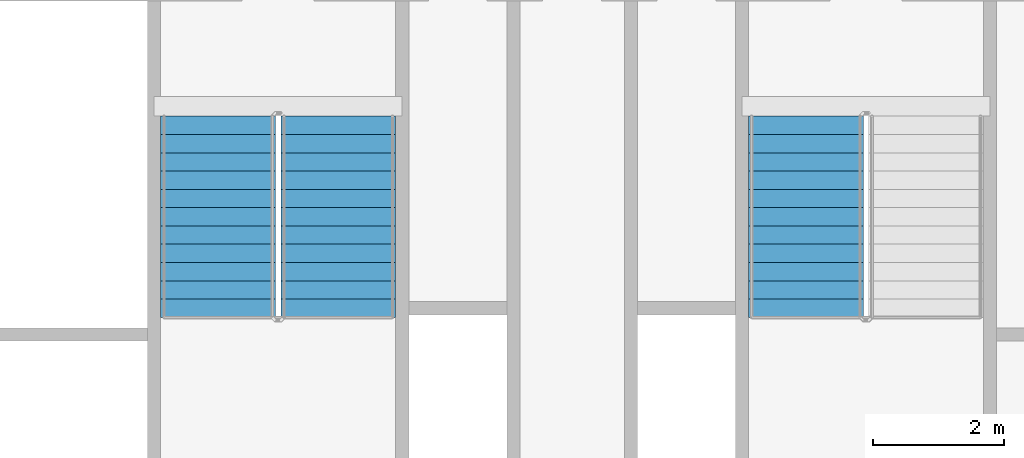
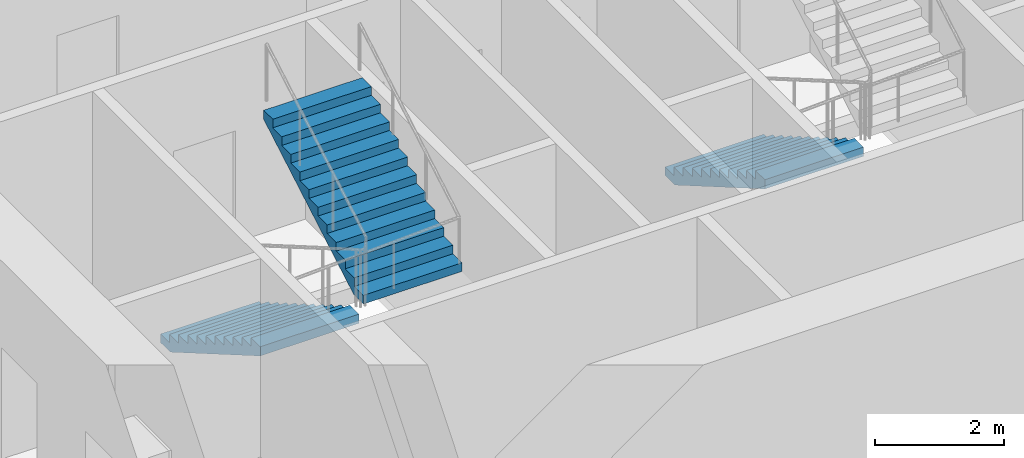
# One storey, part 15 of 22: 3 stair flights, 2 elements without a shape of their own.
"""IFC4 building model written with IfcOpenShell, lengths in metres."""

from ifc_helpers import new_model, si_unit, direction, frame, origin, place, context, subcontext, project, spatial, faceted_brep, material, type_object, element, aggregate, save


model = new_model("IFC4")

# Units and contexts
model_context = context("Model", 3, precision=1e-05, world=origin(), true_north=direction((0.0, 1.0)))
body_context = subcontext(model_context, "Body", "Model", "MODEL_VIEW")
ifc_project = project(units=[si_unit("LENGTHUNIT", "METRE"), si_unit("AREAUNIT", "SQUARE_METRE"), si_unit("VOLUMEUNIT", "CUBIC_METRE"), si_unit("PLANEANGLEUNIT", "RADIAN"), si_unit("MASSUNIT", "GRAM", prefix="KILO")], contexts=[model_context])

# Site, building, storey
site_placement = place(None, origin())
site = spatial("IfcSite", under=ifc_project, at=site_placement, CompositionType="ELEMENT")
building_placement = place(site_placement, origin())
building = spatial("IfcBuilding", under=site, at=building_placement, Name="Tarsis Ring Headquarters", CompositionType="ELEMENT")
storey_placement = place(building_placement, frame((0.0, 0.0, 40.0)))
storey = spatial("IfcBuildingStorey", under=building, at=storey_placement, Name="L07", CompositionType="ELEMENT", Elevation=40.0)

# Stair, stair flights
ifc_material_1 = material(Name="Core stair 1760")
stair_type = type_object("IfcStairType", Name="Core stair 1760", PredefinedType="HALF_TURN_STAIR", material=ifc_material_1)
stair_1_placement = place(storey_placement, origin())
stair_1 = element("IfcStair", 1, at=stair_1_placement, inside=storey, type_object=stair_type, Name="L07 Exit stair C", PredefinedType="HALF_TURN_STAIR")
ifc_material_2 = material(Name="Concrete C40/50", Category="concrete")
stair_flight_type = type_object("IfcStairFlightType", Name="Core stair flight 1760", PredefinedType="STRAIGHT", material=ifc_material_2)
stair_flight_1_placement = place(storey_placement, frame((-5.419921875, -3.659912109375, 0.0), z_axis=(0.0, 0.0, 1.0), x_axis=(0.0, -1.0, 0.0)))
stair_flight_1 = element("IfcStairFlight", 2, at=stair_flight_1_placement, type_object=stair_flight_type, Name="Stair ST3 flight 1", NumberOfRisers=12, NumberOfTreads=11, PredefinedType="STRAIGHT", RiserHeight=0.1625, TreadLength=0.28, context=body_context, shape_type="Brep", body=[
    faceted_brep([(0.0, 0.8798828125, 0.0), (0.0, 0.8798828125, 0.16259765625), (0.280029296875, 0.8798828125, 0.16259765625), (0.280029296875, 0.8798828125, 0.324951171875), (0.56005859375, 0.8798828125, 0.324951171875), (0.56005859375, 0.8798828125, 0.487548828125), (0.840087890625, 0.8798828125, 0.487548828125), (0.840087890625, 0.8798828125, 0.64990234375), (1.1201171875, 0.8798828125, 0.64990234375), (1.1201171875, 0.8798828125, 0.8125), (1.39990234375, 0.8798828125, 0.8125), (1.39990234375, 0.8798828125, 0.97509765625), (1.679931640625, 0.8798828125, 0.97509765625), (1.679931640625, 0.8798828125, 1.137451171875), (1.9599609375, 0.8798828125, 1.137451171875), (1.9599609375, 0.8798828125, 1.300048828125), (2.239990234375, 0.8798828125, 1.300048828125), (2.239990234375, 0.8798828125, 1.46240234375), (2.52001953125, 0.8798828125, 1.46240234375), (2.52001953125, 0.8798828125, 1.625), (2.800048828125, 0.8798828125, 1.625), (2.800048828125, 0.8798828125, 1.78759765625), (3.080078125, 0.8798828125, 1.78759765625), (3.080078125, 0.8798828125, 1.6142578125), (0.298583984375, 0.8798828125, 0.0), (0.298583984375, -0.8798828125, 0.0), (3.080078125, -0.8798828125, 1.6142578125), (3.080078125, -0.8798828125, 1.78759765625), (2.800048828125, -0.8798828125, 1.78759765625), (2.800048828125, -0.8798828125, 1.625), (2.52001953125, -0.8798828125, 1.625), (2.52001953125, -0.8798828125, 1.46240234375), (2.239990234375, -0.8798828125, 1.46240234375), (2.239990234375, -0.8798828125, 1.300048828125), (1.9599609375, -0.8798828125, 1.300048828125), (1.9599609375, -0.8798828125, 1.137451171875), (1.679931640625, -0.8798828125, 1.137451171875), (1.679931640625, -0.8798828125, 0.97509765625), (1.39990234375, -0.8798828125, 0.97509765625), (1.39990234375, -0.8798828125, 0.8125), (1.1201171875, -0.8798828125, 0.8125), (1.1201171875, -0.8798828125, 0.64990234375), (0.840087890625, -0.8798828125, 0.64990234375), (0.840087890625, -0.8798828125, 0.487548828125), (0.56005859375, -0.8798828125, 0.487548828125), (0.56005859375, -0.8798828125, 0.324951171875), (0.280029296875, -0.8798828125, 0.324951171875), (0.280029296875, -0.8798828125, 0.16259765625), (0.0, -0.8798828125, 0.16259765625), (0.0, -0.8798828125, 0.0), (0.0, -0.43994140625, 0.16259765625), (0.0, -0.43994140625, 0.0), (0.0, 0.0, 0.16259765625), (0.0, 0.0, 0.0), (0.0, 0.43994140625, 0.16259765625), (0.0, 0.43994140625, 0.0), (0.280029296875, -0.43994140625, 0.16259765625), (0.280029296875, 0.0, 0.16259765625), (0.280029296875, 0.43994140625, 0.16259765625), (0.280029296875, -0.43994140625, 0.324951171875), (0.280029296875, 0.0, 0.324951171875), (0.280029296875, 0.43994140625, 0.324951171875), (0.56005859375, -0.43994140625, 0.324951171875), (0.56005859375, 0.0, 0.324951171875), (0.56005859375, 0.43994140625, 0.324951171875), (0.56005859375, -0.43994140625, 0.487548828125), (0.56005859375, 0.0, 0.487548828125), (0.56005859375, 0.43994140625, 0.487548828125), (0.840087890625, -0.43994140625, 0.487548828125), (0.840087890625, 0.0, 0.487548828125), (0.840087890625, 0.43994140625, 0.487548828125), (0.840087890625, -0.43994140625, 0.64990234375), (0.840087890625, 0.0, 0.64990234375), (0.840087890625, 0.43994140625, 0.64990234375), (1.1201171875, -0.43994140625, 0.64990234375), (1.1201171875, 0.0, 0.64990234375), (1.1201171875, 0.43994140625, 0.64990234375), (1.1201171875, -0.43994140625, 0.8125), (1.1201171875, 0.0, 0.8125), (1.1201171875, 0.43994140625, 0.8125), (1.39990234375, -0.43994140625, 0.8125), (1.39990234375, 0.0, 0.8125), (1.39990234375, 0.43994140625, 0.8125), (1.39990234375, -0.43994140625, 0.97509765625), (1.39990234375, 0.0, 0.97509765625), (1.39990234375, 0.43994140625, 0.97509765625), (1.679931640625, -0.43994140625, 0.97509765625), (1.679931640625, 0.0, 0.97509765625), (1.679931640625, 0.43994140625, 0.97509765625), (1.679931640625, -0.43994140625, 1.137451171875), (1.679931640625, 0.0, 1.137451171875), (1.679931640625, 0.43994140625, 1.137451171875), (1.9599609375, -0.43994140625, 1.137451171875), (1.9599609375, 0.0, 1.137451171875), (1.9599609375, 0.43994140625, 1.137451171875), (1.9599609375, -0.43994140625, 1.300048828125), (1.9599609375, 0.0, 1.300048828125), (1.9599609375, 0.43994140625, 1.300048828125), (2.239990234375, -0.43994140625, 1.300048828125), (2.239990234375, 0.0, 1.300048828125), (2.239990234375, 0.43994140625, 1.300048828125), (2.239990234375, -0.43994140625, 1.46240234375), (2.239990234375, 0.0, 1.46240234375), (2.239990234375, 0.43994140625, 1.46240234375), (2.52001953125, -0.43994140625, 1.46240234375), (2.52001953125, 0.0, 1.46240234375), (2.52001953125, 0.43994140625, 1.46240234375), (2.52001953125, -0.43994140625, 1.625), (2.52001953125, 0.0, 1.625), (2.52001953125, 0.43994140625, 1.625), (2.800048828125, -0.43994140625, 1.625), (2.800048828125, 0.0, 1.625), (2.800048828125, 0.43994140625, 1.625), (2.800048828125, -0.43994140625, 1.78759765625), (2.800048828125, 0.0, 1.78759765625), (2.800048828125, 0.43994140625, 1.78759765625), (3.080078125, -0.43994140625, 1.78759765625), (3.080078125, 0.0, 1.78759765625), (3.080078125, 0.43994140625, 1.78759765625), (3.080078125, -0.43994140625, 1.6142578125), (3.080078125, 0.0, 1.6142578125), (3.080078125, 0.43994140625, 1.6142578125), (0.298583984375, -0.43994140625, 0.0), (0.298583984375, 0.0, 0.0), (0.298583984375, 0.43994140625, 0.0)], [[[0, 1, 2, 3, 4, 5, 6, 7, 8, 9, 10, 11, 12, 13, 14, 15, 16, 17, 18, 19, 20, 21, 22, 23, 24]], [[25, 26, 27, 28, 29, 30, 31, 32, 33, 34, 35, 36, 37, 38, 39, 40, 41, 42, 43, 44, 45, 46, 47, 48, 49]], [[49, 48, 50, 51]], [[51, 50, 52, 53]], [[53, 52, 54, 55]], [[55, 54, 1, 0]], [[48, 47, 56, 50]], [[50, 56, 57, 52]], [[52, 57, 58, 54]], [[54, 58, 2, 1]], [[47, 46, 59, 56]], [[56, 59, 60, 57]], [[57, 60, 61, 58]], [[58, 61, 3, 2]], [[46, 45, 62, 59]], [[59, 62, 63, 60]], [[60, 63, 64, 61]], [[61, 64, 4, 3]], [[45, 44, 65, 62]], [[62, 65, 66, 63]], [[63, 66, 67, 64]], [[64, 67, 5, 4]], [[44, 43, 68, 65]], [[65, 68, 69, 66]], [[66, 69, 70, 67]], [[67, 70, 6, 5]], [[43, 42, 71, 68]], [[68, 71, 72, 69]], [[69, 72, 73, 70]], [[70, 73, 7, 6]], [[42, 41, 74, 71]], [[71, 74, 75, 72]], [[72, 75, 76, 73]], [[73, 76, 8, 7]], [[41, 40, 77, 74]], [[74, 77, 78, 75]], [[75, 78, 79, 76]], [[76, 79, 9, 8]], [[40, 39, 80, 77]], [[77, 80, 81, 78]], [[78, 81, 82, 79]], [[79, 82, 10, 9]], [[39, 38, 83, 80]], [[80, 83, 84, 81]], [[81, 84, 85, 82]], [[82, 85, 11, 10]], [[38, 37, 86, 83]], [[83, 86, 87, 84]], [[84, 87, 88, 85]], [[85, 88, 12, 11]], [[37, 36, 89, 86]], [[86, 89, 90, 87]], [[87, 90, 91, 88]], [[88, 91, 13, 12]], [[36, 35, 92, 89]], [[89, 92, 93, 90]], [[90, 93, 94, 91]], [[91, 94, 14, 13]], [[35, 34, 95, 92]], [[92, 95, 96, 93]], [[93, 96, 97, 94]], [[94, 97, 15, 14]], [[34, 33, 98, 95]], [[95, 98, 99, 96]], [[96, 99, 100, 97]], [[97, 100, 16, 15]], [[33, 32, 101, 98]], [[98, 101, 102, 99]], [[99, 102, 103, 100]], [[100, 103, 17, 16]], [[32, 31, 104, 101]], [[101, 104, 105, 102]], [[102, 105, 106, 103]], [[103, 106, 18, 17]], [[31, 30, 107, 104]], [[104, 107, 108, 105]], [[105, 108, 109, 106]], [[106, 109, 19, 18]], [[30, 29, 110, 107]], [[107, 110, 111, 108]], [[108, 111, 112, 109]], [[109, 112, 20, 19]], [[29, 28, 113, 110]], [[110, 113, 114, 111]], [[111, 114, 115, 112]], [[112, 115, 21, 20]], [[28, 27, 116, 113]], [[113, 116, 117, 114]], [[114, 117, 118, 115]], [[115, 118, 22, 21]], [[27, 26, 119, 116]], [[116, 119, 120, 117]], [[117, 120, 121, 118]], [[118, 121, 23, 22]], [[26, 25, 122, 119]], [[119, 122, 123, 120]], [[120, 123, 124, 121]], [[121, 124, 24, 23]], [[25, 49, 51, 122]], [[122, 51, 53, 123]], [[123, 53, 55, 124]], [[124, 55, 0, 24]]]),
])
stair_flight_2_placement = place(storey_placement, frame((-3.580078125, -6.739990234375, 1.949951171875), z_axis=(0.0, 0.0, 1.0), x_axis=(0.0, 1.0, 0.0)))
stair_flight_2 = element("IfcStairFlight", 3, at=stair_flight_2_placement, type_object=stair_flight_type, Name="Stair ST3 flight 2", NumberOfRisers=12, NumberOfTreads=11, PredefinedType="STRAIGHT", RiserHeight=0.1625, TreadLength=0.28, context=body_context, shape_type="Brep", body=[
    faceted_brep([(0.0, 0.8798828125, 0.0), (0.0, 0.8798828125, 0.16259765625), (0.280029296875, 0.8798828125, 0.16259765625), (0.280029296875, 0.8798828125, 0.324951171875), (0.56005859375, 0.8798828125, 0.324951171875), (0.56005859375, 0.8798828125, 0.487548828125), (0.840087890625, 0.8798828125, 0.487548828125), (0.840087890625, 0.8798828125, 0.64990234375), (1.1201171875, 0.8798828125, 0.64990234375), (1.1201171875, 0.8798828125, 0.8125), (1.39990234375, 0.8798828125, 0.8125), (1.39990234375, 0.8798828125, 0.97509765625), (1.679931640625, 0.8798828125, 0.97509765625), (1.679931640625, 0.8798828125, 1.137451171875), (1.9599609375, 0.8798828125, 1.137451171875), (1.9599609375, 0.8798828125, 1.300048828125), (2.239990234375, 0.8798828125, 1.300048828125), (2.239990234375, 0.8798828125, 1.46240234375), (2.52001953125, 0.8798828125, 1.46240234375), (2.52001953125, 0.8798828125, 1.625), (2.800048828125, 0.8798828125, 1.625), (2.800048828125, 0.8798828125, 1.78759765625), (3.080078125, 0.8798828125, 1.78759765625), (3.080078125, 0.8798828125, 1.6142578125), (0.298583984375, 0.8798828125, 0.0), (0.298583984375, -0.8798828125, 0.0), (3.080078125, -0.8798828125, 1.6142578125), (3.080078125, -0.8798828125, 1.78759765625), (2.800048828125, -0.8798828125, 1.78759765625), (2.800048828125, -0.8798828125, 1.625), (2.52001953125, -0.8798828125, 1.625), (2.52001953125, -0.8798828125, 1.46240234375), (2.239990234375, -0.8798828125, 1.46240234375), (2.239990234375, -0.8798828125, 1.300048828125), (1.9599609375, -0.8798828125, 1.300048828125), (1.9599609375, -0.8798828125, 1.137451171875), (1.679931640625, -0.8798828125, 1.137451171875), (1.679931640625, -0.8798828125, 0.97509765625), (1.39990234375, -0.8798828125, 0.97509765625), (1.39990234375, -0.8798828125, 0.8125), (1.1201171875, -0.8798828125, 0.8125), (1.1201171875, -0.8798828125, 0.64990234375), (0.840087890625, -0.8798828125, 0.64990234375), (0.840087890625, -0.8798828125, 0.487548828125), (0.56005859375, -0.8798828125, 0.487548828125), (0.56005859375, -0.8798828125, 0.324951171875), (0.280029296875, -0.8798828125, 0.324951171875), (0.280029296875, -0.8798828125, 0.16259765625), (0.0, -0.8798828125, 0.16259765625), (0.0, -0.8798828125, 0.0), (0.0, -0.43994140625, 0.16259765625), (0.0, -0.43994140625, 0.0), (0.0, 0.0, 0.16259765625), (0.0, 0.0, 0.0), (0.0, 0.43994140625, 0.16259765625), (0.0, 0.43994140625, 0.0), (0.280029296875, -0.43994140625, 0.16259765625), (0.280029296875, 0.0, 0.16259765625), (0.280029296875, 0.43994140625, 0.16259765625), (0.280029296875, -0.43994140625, 0.324951171875), (0.280029296875, 0.0, 0.324951171875), (0.280029296875, 0.43994140625, 0.324951171875), (0.56005859375, -0.43994140625, 0.324951171875), (0.56005859375, 0.0, 0.324951171875), (0.56005859375, 0.43994140625, 0.324951171875), (0.56005859375, -0.43994140625, 0.487548828125), (0.56005859375, 0.0, 0.487548828125), (0.56005859375, 0.43994140625, 0.487548828125), (0.840087890625, -0.43994140625, 0.487548828125), (0.840087890625, 0.0, 0.487548828125), (0.840087890625, 0.43994140625, 0.487548828125), (0.840087890625, -0.43994140625, 0.64990234375), (0.840087890625, 0.0, 0.64990234375), (0.840087890625, 0.43994140625, 0.64990234375), (1.1201171875, -0.43994140625, 0.64990234375), (1.1201171875, 0.0, 0.64990234375), (1.1201171875, 0.43994140625, 0.64990234375), (1.1201171875, -0.43994140625, 0.8125), (1.1201171875, 0.0, 0.8125), (1.1201171875, 0.43994140625, 0.8125), (1.39990234375, -0.43994140625, 0.8125), (1.39990234375, 0.0, 0.8125), (1.39990234375, 0.43994140625, 0.8125), (1.39990234375, -0.43994140625, 0.97509765625), (1.39990234375, 0.0, 0.97509765625), (1.39990234375, 0.43994140625, 0.97509765625), (1.679931640625, -0.43994140625, 0.97509765625), (1.679931640625, 0.0, 0.97509765625), (1.679931640625, 0.43994140625, 0.97509765625), (1.679931640625, -0.43994140625, 1.137451171875), (1.679931640625, 0.0, 1.137451171875), (1.679931640625, 0.43994140625, 1.137451171875), (1.9599609375, -0.43994140625, 1.137451171875), (1.9599609375, 0.0, 1.137451171875), (1.9599609375, 0.43994140625, 1.137451171875), (1.9599609375, -0.43994140625, 1.300048828125), (1.9599609375, 0.0, 1.300048828125), (1.9599609375, 0.43994140625, 1.300048828125), (2.239990234375, -0.43994140625, 1.300048828125), (2.239990234375, 0.0, 1.300048828125), (2.239990234375, 0.43994140625, 1.300048828125), (2.239990234375, -0.43994140625, 1.46240234375), (2.239990234375, 0.0, 1.46240234375), (2.239990234375, 0.43994140625, 1.46240234375), (2.52001953125, -0.43994140625, 1.46240234375), (2.52001953125, 0.0, 1.46240234375), (2.52001953125, 0.43994140625, 1.46240234375), (2.52001953125, -0.43994140625, 1.625), (2.52001953125, 0.0, 1.625), (2.52001953125, 0.43994140625, 1.625), (2.800048828125, -0.43994140625, 1.625), (2.800048828125, 0.0, 1.625), (2.800048828125, 0.43994140625, 1.625), (2.800048828125, -0.43994140625, 1.78759765625), (2.800048828125, 0.0, 1.78759765625), (2.800048828125, 0.43994140625, 1.78759765625), (3.080078125, -0.43994140625, 1.78759765625), (3.080078125, 0.0, 1.78759765625), (3.080078125, 0.43994140625, 1.78759765625), (3.080078125, -0.43994140625, 1.6142578125), (3.080078125, 0.0, 1.6142578125), (3.080078125, 0.43994140625, 1.6142578125), (0.298583984375, -0.43994140625, 0.0), (0.298583984375, 0.0, 0.0), (0.298583984375, 0.43994140625, 0.0)], [[[0, 1, 2, 3, 4, 5, 6, 7, 8, 9, 10, 11, 12, 13, 14, 15, 16, 17, 18, 19, 20, 21, 22, 23, 24]], [[25, 26, 27, 28, 29, 30, 31, 32, 33, 34, 35, 36, 37, 38, 39, 40, 41, 42, 43, 44, 45, 46, 47, 48, 49]], [[49, 48, 50, 51]], [[51, 50, 52, 53]], [[53, 52, 54, 55]], [[55, 54, 1, 0]], [[48, 47, 56, 50]], [[50, 56, 57, 52]], [[52, 57, 58, 54]], [[54, 58, 2, 1]], [[47, 46, 59, 56]], [[56, 59, 60, 57]], [[57, 60, 61, 58]], [[58, 61, 3, 2]], [[46, 45, 62, 59]], [[59, 62, 63, 60]], [[60, 63, 64, 61]], [[61, 64, 4, 3]], [[45, 44, 65, 62]], [[62, 65, 66, 63]], [[63, 66, 67, 64]], [[64, 67, 5, 4]], [[44, 43, 68, 65]], [[65, 68, 69, 66]], [[66, 69, 70, 67]], [[67, 70, 6, 5]], [[43, 42, 71, 68]], [[68, 71, 72, 69]], [[69, 72, 73, 70]], [[70, 73, 7, 6]], [[42, 41, 74, 71]], [[71, 74, 75, 72]], [[72, 75, 76, 73]], [[73, 76, 8, 7]], [[41, 40, 77, 74]], [[74, 77, 78, 75]], [[75, 78, 79, 76]], [[76, 79, 9, 8]], [[40, 39, 80, 77]], [[77, 80, 81, 78]], [[78, 81, 82, 79]], [[79, 82, 10, 9]], [[39, 38, 83, 80]], [[80, 83, 84, 81]], [[81, 84, 85, 82]], [[82, 85, 11, 10]], [[38, 37, 86, 83]], [[83, 86, 87, 84]], [[84, 87, 88, 85]], [[85, 88, 12, 11]], [[37, 36, 89, 86]], [[86, 89, 90, 87]], [[87, 90, 91, 88]], [[88, 91, 13, 12]], [[36, 35, 92, 89]], [[89, 92, 93, 90]], [[90, 93, 94, 91]], [[91, 94, 14, 13]], [[35, 34, 95, 92]], [[92, 95, 96, 93]], [[93, 96, 97, 94]], [[94, 97, 15, 14]], [[34, 33, 98, 95]], [[95, 98, 99, 96]], [[96, 99, 100, 97]], [[97, 100, 16, 15]], [[33, 32, 101, 98]], [[98, 101, 102, 99]], [[99, 102, 103, 100]], [[100, 103, 17, 16]], [[32, 31, 104, 101]], [[101, 104, 105, 102]], [[102, 105, 106, 103]], [[103, 106, 18, 17]], [[31, 30, 107, 104]], [[104, 107, 108, 105]], [[105, 108, 109, 106]], [[106, 109, 19, 18]], [[30, 29, 110, 107]], [[107, 110, 111, 108]], [[108, 111, 112, 109]], [[109, 112, 20, 19]], [[29, 28, 113, 110]], [[110, 113, 114, 111]], [[111, 114, 115, 112]], [[112, 115, 21, 20]], [[28, 27, 116, 113]], [[113, 116, 117, 114]], [[114, 117, 118, 115]], [[115, 118, 22, 21]], [[27, 26, 119, 116]], [[116, 119, 120, 117]], [[117, 120, 121, 118]], [[118, 121, 23, 22]], [[26, 25, 122, 119]], [[119, 122, 123, 120]], [[120, 123, 124, 121]], [[121, 124, 24, 23]], [[25, 49, 51, 122]], [[122, 51, 53, 123]], [[123, 53, 55, 124]], [[124, 55, 0, 24]]]),
])
aggregate(stair_1, [stair_flight_1, stair_flight_2])

# Stair, stair flight
stair_2_placement = place(storey_placement, origin())
stair_2 = element("IfcStair", 4, at=stair_2_placement, inside=storey, type_object=stair_type, Name="L07 Exit stair D", PredefinedType="HALF_TURN_STAIR")
stair_flight_3_placement = place(storey_placement, frame((3.580078125, -3.659912109375, 0.0), z_axis=(0.0, 0.0, 1.0), x_axis=(0.0, -1.0, 0.0)))
stair_flight_3 = element("IfcStairFlight", 5, at=stair_flight_3_placement, type_object=stair_flight_type, Name="Stair ST4 flight 1", NumberOfRisers=12, NumberOfTreads=11, PredefinedType="STRAIGHT", RiserHeight=0.1625, TreadLength=0.28, context=body_context, shape_type="Brep", body=[
    faceted_brep([(0.0, 0.8798828125, 0.0), (0.0, 0.8798828125, 0.16259765625), (0.280029296875, 0.8798828125, 0.16259765625), (0.280029296875, 0.8798828125, 0.324951171875), (0.56005859375, 0.8798828125, 0.324951171875), (0.56005859375, 0.8798828125, 0.487548828125), (0.840087890625, 0.8798828125, 0.487548828125), (0.840087890625, 0.8798828125, 0.64990234375), (1.1201171875, 0.8798828125, 0.64990234375), (1.1201171875, 0.8798828125, 0.8125), (1.39990234375, 0.8798828125, 0.8125), (1.39990234375, 0.8798828125, 0.97509765625), (1.679931640625, 0.8798828125, 0.97509765625), (1.679931640625, 0.8798828125, 1.137451171875), (1.9599609375, 0.8798828125, 1.137451171875), (1.9599609375, 0.8798828125, 1.300048828125), (2.239990234375, 0.8798828125, 1.300048828125), (2.239990234375, 0.8798828125, 1.46240234375), (2.52001953125, 0.8798828125, 1.46240234375), (2.52001953125, 0.8798828125, 1.625), (2.800048828125, 0.8798828125, 1.625), (2.800048828125, 0.8798828125, 1.78759765625), (3.080078125, 0.8798828125, 1.78759765625), (3.080078125, 0.8798828125, 1.6142578125), (0.298583984375, 0.8798828125, 0.0), (0.298583984375, -0.8798828125, 0.0), (3.080078125, -0.8798828125, 1.6142578125), (3.080078125, -0.8798828125, 1.78759765625), (2.800048828125, -0.8798828125, 1.78759765625), (2.800048828125, -0.8798828125, 1.625), (2.52001953125, -0.8798828125, 1.625), (2.52001953125, -0.8798828125, 1.46240234375), (2.239990234375, -0.8798828125, 1.46240234375), (2.239990234375, -0.8798828125, 1.300048828125), (1.9599609375, -0.8798828125, 1.300048828125), (1.9599609375, -0.8798828125, 1.137451171875), (1.679931640625, -0.8798828125, 1.137451171875), (1.679931640625, -0.8798828125, 0.97509765625), (1.39990234375, -0.8798828125, 0.97509765625), (1.39990234375, -0.8798828125, 0.8125), (1.1201171875, -0.8798828125, 0.8125), (1.1201171875, -0.8798828125, 0.64990234375), (0.840087890625, -0.8798828125, 0.64990234375), (0.840087890625, -0.8798828125, 0.487548828125), (0.56005859375, -0.8798828125, 0.487548828125), (0.56005859375, -0.8798828125, 0.324951171875), (0.280029296875, -0.8798828125, 0.324951171875), (0.280029296875, -0.8798828125, 0.16259765625), (0.0, -0.8798828125, 0.16259765625), (0.0, -0.8798828125, 0.0), (0.0, -0.43994140625, 0.16259765625), (0.0, -0.43994140625, 0.0), (0.0, 0.0, 0.16259765625), (0.0, 0.0, 0.0), (0.0, 0.43994140625, 0.16259765625), (0.0, 0.43994140625, 0.0), (0.280029296875, -0.43994140625, 0.16259765625), (0.280029296875, 0.0, 0.16259765625), (0.280029296875, 0.43994140625, 0.16259765625), (0.280029296875, -0.43994140625, 0.324951171875), (0.280029296875, 0.0, 0.324951171875), (0.280029296875, 0.43994140625, 0.324951171875), (0.56005859375, -0.43994140625, 0.324951171875), (0.56005859375, 0.0, 0.324951171875), (0.56005859375, 0.43994140625, 0.324951171875), (0.56005859375, -0.43994140625, 0.487548828125), (0.56005859375, 0.0, 0.487548828125), (0.56005859375, 0.43994140625, 0.487548828125), (0.840087890625, -0.43994140625, 0.487548828125), (0.840087890625, 0.0, 0.487548828125), (0.840087890625, 0.43994140625, 0.487548828125), (0.840087890625, -0.43994140625, 0.64990234375), (0.840087890625, 0.0, 0.64990234375), (0.840087890625, 0.43994140625, 0.64990234375), (1.1201171875, -0.43994140625, 0.64990234375), (1.1201171875, 0.0, 0.64990234375), (1.1201171875, 0.43994140625, 0.64990234375), (1.1201171875, -0.43994140625, 0.8125), (1.1201171875, 0.0, 0.8125), (1.1201171875, 0.43994140625, 0.8125), (1.39990234375, -0.43994140625, 0.8125), (1.39990234375, 0.0, 0.8125), (1.39990234375, 0.43994140625, 0.8125), (1.39990234375, -0.43994140625, 0.97509765625), (1.39990234375, 0.0, 0.97509765625), (1.39990234375, 0.43994140625, 0.97509765625), (1.679931640625, -0.43994140625, 0.97509765625), (1.679931640625, 0.0, 0.97509765625), (1.679931640625, 0.43994140625, 0.97509765625), (1.679931640625, -0.43994140625, 1.137451171875), (1.679931640625, 0.0, 1.137451171875), (1.679931640625, 0.43994140625, 1.137451171875), (1.9599609375, -0.43994140625, 1.137451171875), (1.9599609375, 0.0, 1.137451171875), (1.9599609375, 0.43994140625, 1.137451171875), (1.9599609375, -0.43994140625, 1.300048828125), (1.9599609375, 0.0, 1.300048828125), (1.9599609375, 0.43994140625, 1.300048828125), (2.239990234375, -0.43994140625, 1.300048828125), (2.239990234375, 0.0, 1.300048828125), (2.239990234375, 0.43994140625, 1.300048828125), (2.239990234375, -0.43994140625, 1.46240234375), (2.239990234375, 0.0, 1.46240234375), (2.239990234375, 0.43994140625, 1.46240234375), (2.52001953125, -0.43994140625, 1.46240234375), (2.52001953125, 0.0, 1.46240234375), (2.52001953125, 0.43994140625, 1.46240234375), (2.52001953125, -0.43994140625, 1.625), (2.52001953125, 0.0, 1.625), (2.52001953125, 0.43994140625, 1.625), (2.800048828125, -0.43994140625, 1.625), (2.800048828125, 0.0, 1.625), (2.800048828125, 0.43994140625, 1.625), (2.800048828125, -0.43994140625, 1.78759765625), (2.800048828125, 0.0, 1.78759765625), (2.800048828125, 0.43994140625, 1.78759765625), (3.080078125, -0.43994140625, 1.78759765625), (3.080078125, 0.0, 1.78759765625), (3.080078125, 0.43994140625, 1.78759765625), (3.080078125, -0.43994140625, 1.6142578125), (3.080078125, 0.0, 1.6142578125), (3.080078125, 0.43994140625, 1.6142578125), (0.298583984375, -0.43994140625, 0.0), (0.298583984375, 0.0, 0.0), (0.298583984375, 0.43994140625, 0.0)], [[[0, 1, 2, 3, 4, 5, 6, 7, 8, 9, 10, 11, 12, 13, 14, 15, 16, 17, 18, 19, 20, 21, 22, 23, 24]], [[25, 26, 27, 28, 29, 30, 31, 32, 33, 34, 35, 36, 37, 38, 39, 40, 41, 42, 43, 44, 45, 46, 47, 48, 49]], [[49, 48, 50, 51]], [[51, 50, 52, 53]], [[53, 52, 54, 55]], [[55, 54, 1, 0]], [[48, 47, 56, 50]], [[50, 56, 57, 52]], [[52, 57, 58, 54]], [[54, 58, 2, 1]], [[47, 46, 59, 56]], [[56, 59, 60, 57]], [[57, 60, 61, 58]], [[58, 61, 3, 2]], [[46, 45, 62, 59]], [[59, 62, 63, 60]], [[60, 63, 64, 61]], [[61, 64, 4, 3]], [[45, 44, 65, 62]], [[62, 65, 66, 63]], [[63, 66, 67, 64]], [[64, 67, 5, 4]], [[44, 43, 68, 65]], [[65, 68, 69, 66]], [[66, 69, 70, 67]], [[67, 70, 6, 5]], [[43, 42, 71, 68]], [[68, 71, 72, 69]], [[69, 72, 73, 70]], [[70, 73, 7, 6]], [[42, 41, 74, 71]], [[71, 74, 75, 72]], [[72, 75, 76, 73]], [[73, 76, 8, 7]], [[41, 40, 77, 74]], [[74, 77, 78, 75]], [[75, 78, 79, 76]], [[76, 79, 9, 8]], [[40, 39, 80, 77]], [[77, 80, 81, 78]], [[78, 81, 82, 79]], [[79, 82, 10, 9]], [[39, 38, 83, 80]], [[80, 83, 84, 81]], [[81, 84, 85, 82]], [[82, 85, 11, 10]], [[38, 37, 86, 83]], [[83, 86, 87, 84]], [[84, 87, 88, 85]], [[85, 88, 12, 11]], [[37, 36, 89, 86]], [[86, 89, 90, 87]], [[87, 90, 91, 88]], [[88, 91, 13, 12]], [[36, 35, 92, 89]], [[89, 92, 93, 90]], [[90, 93, 94, 91]], [[91, 94, 14, 13]], [[35, 34, 95, 92]], [[92, 95, 96, 93]], [[93, 96, 97, 94]], [[94, 97, 15, 14]], [[34, 33, 98, 95]], [[95, 98, 99, 96]], [[96, 99, 100, 97]], [[97, 100, 16, 15]], [[33, 32, 101, 98]], [[98, 101, 102, 99]], [[99, 102, 103, 100]], [[100, 103, 17, 16]], [[32, 31, 104, 101]], [[101, 104, 105, 102]], [[102, 105, 106, 103]], [[103, 106, 18, 17]], [[31, 30, 107, 104]], [[104, 107, 108, 105]], [[105, 108, 109, 106]], [[106, 109, 19, 18]], [[30, 29, 110, 107]], [[107, 110, 111, 108]], [[108, 111, 112, 109]], [[109, 112, 20, 19]], [[29, 28, 113, 110]], [[110, 113, 114, 111]], [[111, 114, 115, 112]], [[112, 115, 21, 20]], [[28, 27, 116, 113]], [[113, 116, 117, 114]], [[114, 117, 118, 115]], [[115, 118, 22, 21]], [[27, 26, 119, 116]], [[116, 119, 120, 117]], [[117, 120, 121, 118]], [[118, 121, 23, 22]], [[26, 25, 122, 119]], [[119, 122, 123, 120]], [[120, 123, 124, 121]], [[121, 124, 24, 23]], [[25, 49, 51, 122]], [[122, 51, 53, 123]], [[123, 53, 55, 124]], [[124, 55, 0, 24]]]),
])
aggregate(stair_2, [stair_flight_3])

save(model, "model.ifc")
